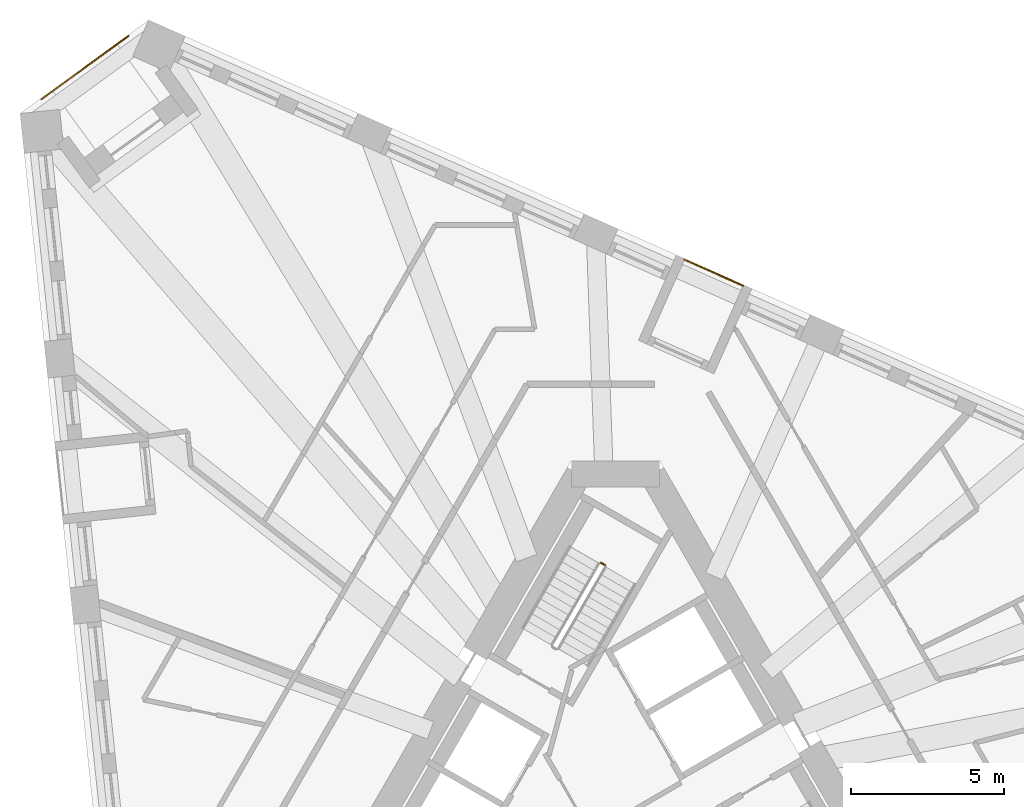
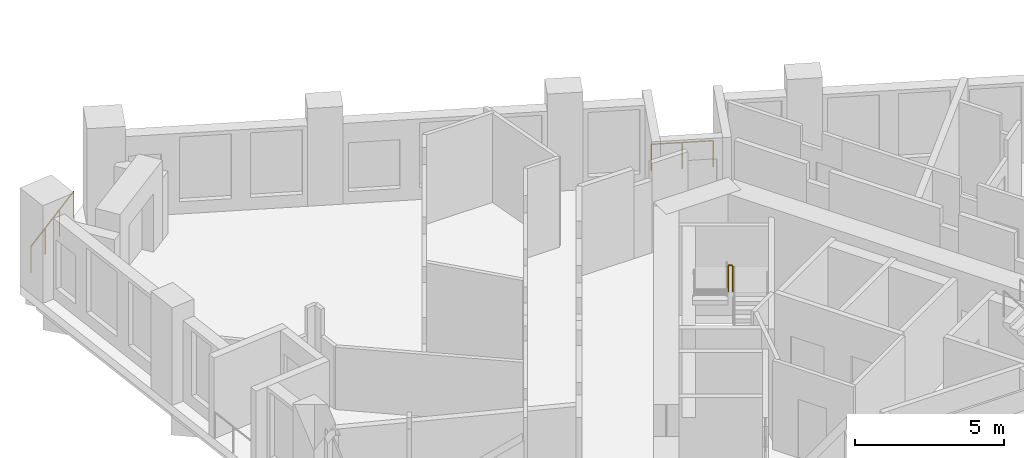
# One storey, part 13 of 14: 3 railings.
"""IFC4 building model written with IfcOpenShell, lengths in metres."""

from ifc_helpers import new_model, si_unit, direction, frame, origin, origin_2d, place, context, subcontext, project, spatial, circle, extrude, material, type_object, element, save


model = new_model("IFC4")

# Units and contexts
model_context = context("Model", 3, precision=1e-05, world=origin(), true_north=direction((0.0, 1.0)))
body_context = subcontext(model_context, "Body", "Model", "MODEL_VIEW")
ifc_project = project(units=[si_unit("LENGTHUNIT", "METRE"), si_unit("AREAUNIT", "SQUARE_METRE"), si_unit("VOLUMEUNIT", "CUBIC_METRE"), si_unit("PLANEANGLEUNIT", "RADIAN"), si_unit("MASSUNIT", "GRAM", prefix="KILO")], contexts=[model_context])

# Site, building, storey
site_placement = place(None, origin())
site = spatial("IfcSite", under=ifc_project, at=site_placement, CompositionType="ELEMENT")
building_placement = place(site_placement, origin())
building = spatial("IfcBuilding", under=site, at=building_placement, Name="Tramontana Tower", CompositionType="ELEMENT")
storey_placement = place(building_placement, frame((0.0, 0.0, 186.800048828125)))
storey = spatial("IfcBuildingStorey", under=building, at=storey_placement, Name="L43", CompositionType="ELEMENT", Elevation=186.800048828125)

# Railings
ifc_material_1 = material(Name="Laminated glass balustrade", Category="glass")
railing_type_1 = type_object("IfcRailingType", Name="GD1 Loggia glass balustrade 1100", PredefinedType="BALUSTRADE", material=ifc_material_1)
railing_1_placement = place(storey_placement, frame((4.1669921875, 16.720703125, 0.0)))
element("IfcRailing", 1, at=railing_1_placement, inside=storey, type_object=railing_type_1, Name="Loggia balustrade L43 G4S2.10", PredefinedType="BALUSTRADE", context=body_context, shape_type="SweptSolid", body=[
    extrude(circle(Radius=0.02392578125, at=origin_2d()), frame((0.0, 0.0, 1.076171875), z_axis=(-0.913556597974, 0.40671162056, 0.0), x_axis=(-0.40671162056, -0.913556597974, 0.0)), (0.0, 0.0, 1.0), 2.094482421875),
    extrude(circle(Radius=0.02099609375, at=origin_2d()), origin(), (0.0, 0.0, 1.0), 1.052001953125),
    extrude(circle(Radius=0.02099609375, at=origin_2d()), frame((-0.95654296875, 0.42578125, 0.0)), (0.0, 0.0, 1.0), 1.052001953125),
    extrude(circle(Radius=0.02099609375, at=origin_2d()), frame((-1.913330078125, 0.851806640625, 0.0)), (0.0, 0.0, 1.0), 1.052001953125),
])
railing_2_placement = place(storey_placement, frame((-18.73779296875, 22.81298828125, 0.0)))
element("IfcRailing", 2, at=railing_2_placement, inside=storey, type_object=railing_type_1, Name="Corner loggia balustrade L43 K40", PredefinedType="BALUSTRADE", context=body_context, shape_type="SweptSolid", body=[
    extrude(circle(Radius=0.02392578125, at=origin_2d()), frame((0.0, 0.0, 1.076171875), z_axis=(0.808998426921, 0.587810807352, 0.0), x_axis=(-0.587810807352, 0.808998426921, 0.0)), (0.0, 0.0, 1.0), 3.5),
    extrude(circle(Radius=0.02099609375, at=origin_2d()), origin(), (0.0, 0.0, 1.0), 1.052001953125),
    extrude(circle(Radius=0.02099609375, at=origin_2d()), frame((0.94384765625, 0.685791015625, 0.0)), (0.0, 0.0, 1.0), 1.052001953125),
    extrude(circle(Radius=0.02099609375, at=origin_2d()), frame((1.8876953125, 1.37158203125, 0.0)), (0.0, 0.0, 1.0), 1.052001953125),
    extrude(circle(Radius=0.02099609375, at=origin_2d()), frame((2.83154296875, 2.057373046875, 0.0)), (0.0, 0.0, 1.0), 1.052001953125),
])
ifc_material_2 = material(Name="Painted steel", Category="steel")
railing_type_2 = type_object("IfcRailingType", Name="STAIR GUARD 1100", PredefinedType="GUARDRAIL", material=ifc_material_2)
railing_3_placement = place(storey_placement, frame((-0.345703125, 7.601318359375, 2.0)))
element("IfcRailing", 3, at=railing_3_placement, inside=storey, type_object=railing_type_2, Name="L43 ST1 stair guard 3", PredefinedType="GUARDRAIL", context=body_context, shape_type="SweptSolid", body=[
    extrude(circle(Radius=0.02392578125, at=origin_2d()), frame((0.0, 0.0, 1.076171875), z_axis=(-0.866131372301, 0.499816412211, 0.0), x_axis=(-0.499816412211, -0.866131372301, 0.0)), (0.0, 0.0, 1.0), 0.14990234375),
    extrude(circle(Radius=0.02099609375, at=origin_2d()), origin(), (0.0, 0.0, 1.0), 1.052001953125),
    extrude(circle(Radius=0.02099609375, at=origin_2d()), frame((-0.1298828125, 0.074951171875, 0.0)), (0.0, 0.0, 1.0), 1.052001953125),
])

save(model, "model.ifc")
